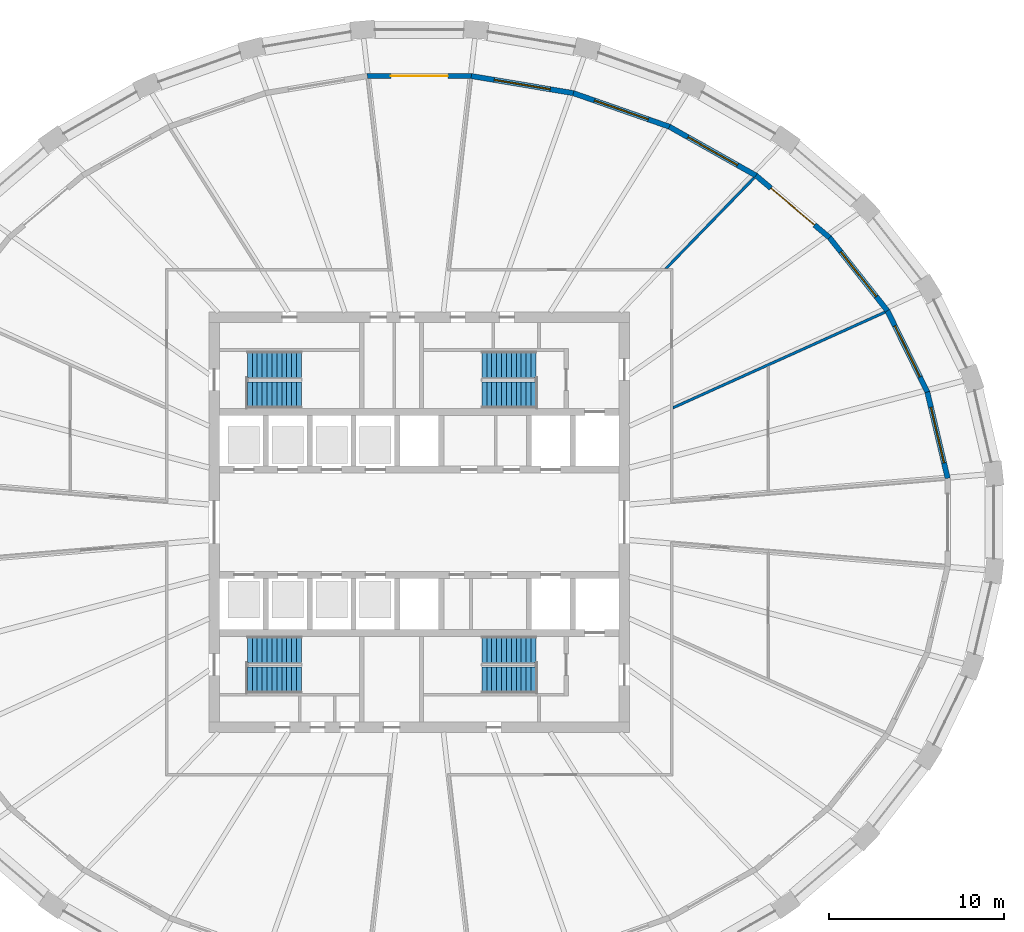
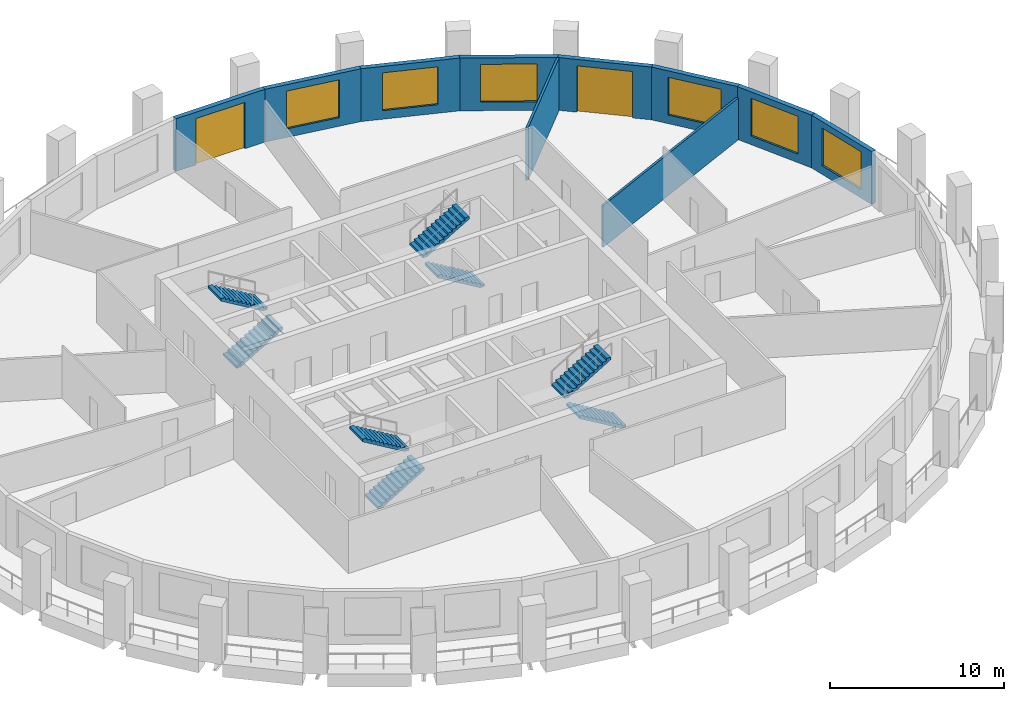
# One storey, part 7 of 10: 10 walls, 8 stair flights, 6 windows, 2 doors, 8 openings, 4 elements without a shape of their own.
"""IFC4 building model written with IfcOpenShell, lengths in metres."""

from ifc_helpers import new_model, si_unit, direction, frame, frame_2d, origin, place, context, subcontext, project, spatial, polyline, rectangle, outline, extrude, material, layer, layer_set, type_object, element, fill, aggregate, save


model = new_model("IFC4")

# Units and contexts
model_context = context("Model", 3, precision=1e-05, world=origin(), true_north=direction((0.0, 1.0)))
body_context = subcontext(model_context, "Body", "Model", "MODEL_VIEW")
ifc_project = project(units=[si_unit("LENGTHUNIT", "METRE"), si_unit("AREAUNIT", "SQUARE_METRE"), si_unit("VOLUMEUNIT", "CUBIC_METRE"), si_unit("PLANEANGLEUNIT", "RADIAN"), si_unit("MASSUNIT", "GRAM", prefix="KILO")], contexts=[model_context])

# Site, building, storey
site_placement = place(None, origin())
site = spatial("IfcSite", under=ifc_project, at=site_placement, CompositionType="ELEMENT")
building_placement = place(site_placement, origin())
building = spatial("IfcBuilding", under=site, at=building_placement, Name="Halqa Exchange Tower", CompositionType="ELEMENT")
storey_placement = place(building_placement, frame((0.0, 0.0, 178.89990234375)))
storey = spatial("IfcBuildingStorey", under=building, at=storey_placement, Name="L40", CompositionType="ELEMENT", Elevation=178.89990234375)

# Walls
ifc_material_1 = material(Name="Fire-rated gypsum board")
ifc_layer_1 = layer(ifc_material_1, 0.14990234375)
ifc_layer_set_1 = layer_set([ifc_layer_1], Name="Fire-rated gypsum board")
wall_type_1 = type_object("IfcWallType", Name="Fire partition EI 60 150", PredefinedType="PARTITIONING", material=ifc_layer_set_1)
wall_1_placement = place(storey_placement, frame((14.022216796875, 14.4228515625, 0.0), z_axis=(0.0, 0.0, 1.0), x_axis=(0.69721790069, 0.716859260216, 0.0)))
element("IfcWall", 1, at=wall_1_placement, inside=storey, type_object=wall_type_1, Name="L40-PWL-017", PredefinedType="PARTITIONING", context=body_context, shape_type="SweptSolid", body=[
    extrude(outline(polyline([(0.0, 0.074951171875), (0.0, 0.07470703125), (0.145751953125, -0.074951171875), (1.927001953125, -0.074951171875), (3.70849609375, -0.074951171875), (5.489990234375, -0.074951171875), (7.271484375, -0.074951171875), (7.271484375, 0.074951171875), (5.45361328125, 0.074951171875), (3.6357421875, 0.074951171875), (1.81787109375, 0.074951171875), (0.0, 0.074951171875)])), origin(), (0.0, 0.0, 1.0), 3.7001953125),
])
wall_2_placement = place(storey_placement, frame((14.444580078125, 6.52001953125, 0.0), z_axis=(0.0, 0.0, 1.0), x_axis=(0.911609963385, 0.411056291349, 0.0)))
element("IfcWall", 2, at=wall_2_placement, inside=storey, type_object=wall_type_1, Name="L40-PWL-024", PredefinedType="PARTITIONING", context=body_context, shape_type="SweptSolid", body=[
    extrude(outline(polyline([(0.0, -0.074951171875), (1.96533203125, -0.074951171875), (3.930419921875, -0.074951171875), (5.895751953125, -0.074951171875), (5.896728515625, -0.07275390625), (5.9013671875, -0.074951171875), (7.75, -0.074951171875), (9.5986328125, -0.074951171875), (11.447265625, -0.074951171875), (13.2958984375, -0.074951171875), (13.2958984375, -0.069091796875), (13.293701171875, -0.002685546875), (13.274169921875, 0.074951171875), (11.387451171875, 0.074951171875), (9.500732421875, 0.074951171875), (7.614013671875, 0.074951171875), (5.727294921875, 0.074951171875), (3.840576171875, 0.074951171875), (1.953857421875, 0.074951171875), (0.067138671875, 0.074951171875), (0.0, -0.073974609375), (0.0, -0.074951171875)])), origin(), (0.0, 0.0, 1.0), 2.93017578125),
])

# Wall, opening, window
ifc_material_2 = material(Name="Limestone cladding", Category="masonry")
ifc_layer_2 = layer(ifc_material_2, 0.0400390625)
ifc_material_3 = material(Name="Ventilated cavity")
ifc_layer_3 = layer(ifc_material_3, 0.030029296875, ventilated=True)
ifc_material_4 = material(Name="Mineral wool insulation")
ifc_layer_4 = layer(ifc_material_4, 0.10009765625)
ifc_material_5 = material(Name="Concrete C30/37", Category="concrete")
ifc_layer_5 = layer(ifc_material_5, 0.10009765625)
ifc_material_6 = material(Name="Internal plaster")
ifc_layer_6 = layer(ifc_material_6, 0.030029296875)
ifc_layer_set_2 = layer_set([ifc_layer_2, ifc_layer_3, ifc_layer_4, ifc_layer_5, ifc_layer_6], Name="Stone-faced insulated wall 300")
wall_type_2 = type_object("IfcWallType", Name="Stone-faced insulated wall 300", PredefinedType="STANDARD", material=ifc_layer_set_2)
wall_3_placement = place(storey_placement, frame((30.126220703125, 2.5087890625, 0.0), z_axis=(0.0, 0.0, 1.0), x_axis=(-0.229434992017, 0.973323987395, 0.0)))
wall_3 = element("IfcWall", 3, at=wall_3_placement, inside=storey, type_object=wall_type_2, Name="Glass-line wall 1", PredefinedType="STANDARD", context=body_context, shape_type="SweptSolid", body=[
    extrude(outline(polyline([(-0.017333984375, -0.14990234375), (5.072265625, -0.14990234375), (5.03857421875, 0.14990234375), (0.017333984375, 0.14990234375), (-0.017333984375, -0.14990234375)])), origin(), (0.0, 0.0, 1.0), 3.7001953125),
])
opening_1_placement = place(wall_3_placement, frame((0.902587890625, 0.0, 0.60009765625)))
opening_1 = element("IfcOpeningElement", 4, at=opening_1_placement, cuts=wall_3, Name="Opening W-F3-01", PredefinedType="OPENING", context=body_context, shape_type="SweptSolid", body=[
    extrude(rectangle(XDim=3.25, YDim=2.64990234375, at=frame_2d((1.625, 1.324951171875))), frame((0.0, 0.162109375, 0.0), z_axis=(0.0, -1.0, 0.0), x_axis=(1.0, 0.0, 0.0)), (0.0, 0.0, 1.0), 0.323974609375),
])
ifc_material_7 = material(Name="Clear low-emissivity glass in aluminium frame", Category="aluminium")
window_type = type_object("IfcWindowType", Name="Fixed clear glazed window 3250 x 2650", PartitioningType="TRIPLE_PANEL_VERTICAL", PredefinedType="WINDOW", material=ifc_material_7)
window_1_placement = place(opening_1_placement, origin())
window_1 = element("IfcWindow", 5, at=window_1_placement, inside=storey, type_object=window_type, Name="Window 3", OverallHeight=2.64990234375, OverallWidth=3.25, PartitioningType="TRIPLE_PANEL_VERTICAL", PredefinedType="WINDOW", context=body_context, shape_type="SweptSolid", body=[
    extrude(rectangle(XDim=3.25, YDim=2.64990234375, at=frame_2d((1.625, 1.324951171875))), frame((0.0, 0.030029296875, 0.0), z_axis=(0.0, -1.0, 0.0), x_axis=(1.0, 0.0, 0.0)), (0.0, 0.0, 1.0), 0.06005859375),
])
fill(opening_1, window_1)

wall_4_placement = place(storey_placement, frame((28.96630859375, 7.429443359375, 0.0), z_axis=(0.0, 0.0, 1.0), x_axis=(-0.440673883676, 0.897667270343, 0.0)))
wall_4 = element("IfcWall", 6, at=wall_4_placement, inside=storey, type_object=wall_type_2, Name="Glass-line wall 2", PredefinedType="STANDARD", context=body_context, shape_type="SweptSolid", body=[
    extrude(outline(polyline([(-0.016845703125, -0.14990234375), (5.17724609375, -0.14990234375), (5.14501953125, 0.14990234375), (0.016845703125, 0.14990234375), (-0.016845703125, -0.14990234375)])), origin(), (0.0, 0.0, 1.0), 3.7001953125),
])
opening_2_placement = place(wall_4_placement, frame((0.95556640625, 0.0, 0.60009765625)))
opening_2 = element("IfcOpeningElement", 7, at=opening_2_placement, cuts=wall_4, Name="Opening W-F3-02", PredefinedType="OPENING", context=body_context, shape_type="SweptSolid", body=[
    extrude(rectangle(XDim=3.25, YDim=2.64990234375, at=frame_2d((1.625, 1.324951171875))), frame((0.0, 0.162109375, 0.0), z_axis=(0.0, -1.0, 0.0), x_axis=(1.0, 0.0, 0.0)), (0.0, 0.0, 1.0), 0.323974609375),
])
window_2_placement = place(opening_2_placement, origin())
window_2 = element("IfcWindow", 8, at=window_2_placement, inside=storey, type_object=window_type, Name="Window 3", OverallHeight=2.64990234375, OverallWidth=3.25, PartitioningType="TRIPLE_PANEL_VERTICAL", PredefinedType="WINDOW", context=body_context, shape_type="SweptSolid", body=[
    extrude(rectangle(XDim=3.25, YDim=2.64990234375, at=frame_2d((1.625, 1.324951171875))), frame((0.0, 0.030029296875, 0.0), z_axis=(0.0, -1.0, 0.0), x_axis=(1.0, 0.0, 0.0)), (0.0, 0.0, 1.0), 0.06005859375),
])
fill(opening_2, window_2)

wall_5_placement = place(storey_placement, frame((26.69189453125, 12.0625, 0.0), z_axis=(0.0, 0.0, 1.0), x_axis=(-0.620766467446, 0.78399553117, 0.0)))
wall_5 = element("IfcWall", 9, at=wall_5_placement, inside=storey, type_object=wall_type_2, Name="Glass-line wall 3", PredefinedType="STANDARD", context=body_context, shape_type="SweptSolid", body=[
    extrude(outline(polyline([(-0.01611328125, -0.14990234375), (5.330810546875, -0.14990234375), (5.300537109375, 0.14990234375), (0.01611328125, 0.14990234375), (-0.01611328125, -0.14990234375)])), origin(), (0.0, 0.0, 1.0), 3.7001953125),
])
opening_3_placement = place(wall_5_placement, frame((1.032958984375, 0.0, 0.60009765625)))
opening_3 = element("IfcOpeningElement", 10, at=opening_3_placement, cuts=wall_5, Name="Opening W-F3-03", PredefinedType="OPENING", context=body_context, shape_type="SweptSolid", body=[
    extrude(rectangle(XDim=3.25, YDim=2.64990234375, at=frame_2d((1.625, 1.324951171875))), frame((0.0, 0.162109375, 0.0), z_axis=(0.0, -1.0, 0.0), x_axis=(1.0, 0.0, 0.0)), (0.0, 0.0, 1.0), 0.323974609375),
])
window_3_placement = place(opening_3_placement, origin())
window_3 = element("IfcWindow", 11, at=window_3_placement, inside=storey, type_object=window_type, Name="Window 3", OverallHeight=2.64990234375, OverallWidth=3.25, PartitioningType="TRIPLE_PANEL_VERTICAL", PredefinedType="WINDOW", context=body_context, shape_type="SweptSolid", body=[
    extrude(rectangle(XDim=3.25, YDim=2.64990234375, at=frame_2d((1.625, 1.324951171875))), frame((0.0, 0.030029296875, 0.0), z_axis=(0.0, -1.0, 0.0), x_axis=(1.0, 0.0, 0.0)), (0.0, 0.0, 1.0), 0.06005859375),
])
fill(opening_3, window_3)

# Wall, opening, door
wall_6_placement = place(storey_placement, frame((23.39208984375, 16.22998046875, 0.0), z_axis=(0.0, 0.0, 1.0), x_axis=(-0.764238764041, 0.64493341636, 0.0)))
wall_6 = element("IfcWall", 12, at=wall_6_placement, inside=storey, type_object=wall_type_2, Name="Glass-line wall 4", PredefinedType="STANDARD", context=body_context, shape_type="SweptSolid", body=[
    extrude(outline(polyline([(-0.01513671875, -0.14990234375), (5.506591796875, -0.14990234375), (5.478271484375, 0.14990234375), (0.01513671875, 0.14990234375), (-0.01513671875, -0.14990234375)])), origin(), (0.0, 0.0, 1.0), 3.7001953125),
])
opening_4_placement = place(wall_6_placement, frame((1.12109375, 0.0, 0.0)))
opening_4 = element("IfcOpeningElement", 13, at=opening_4_placement, cuts=wall_6, Name="Opening LG-F3-01", PredefinedType="OPENING", context=body_context, shape_type="SweptSolid", body=[
    extrude(rectangle(XDim=3.25, YDim=3.25, at=frame_2d((1.625, 1.625))), frame((0.0, 0.162109375, 0.0), z_axis=(0.0, -1.0, 0.0), x_axis=(1.0, 0.0, 0.0)), (0.0, 0.0, 1.0), 0.323974609375),
])
door_type = type_object("IfcDoorType", Name="Glazed sliding loggia door 3250 x 3250", OperationType="DOUBLE_DOOR_SLIDING", PredefinedType="DOOR", material=ifc_material_7)
door_1_placement = place(opening_4_placement, origin())
door_1 = element("IfcDoor", 14, at=door_1_placement, inside=storey, type_object=door_type, Name="Loggia door 1", OperationType="DOUBLE_DOOR_SLIDING", OverallHeight=3.25, OverallWidth=3.25, PredefinedType="DOOR", context=body_context, shape_type="SweptSolid", body=[
    extrude(rectangle(XDim=3.25, YDim=3.25, at=frame_2d((1.625, 1.625))), frame((0.0, 0.02490234375, 0.0), z_axis=(0.0, -1.0, 0.0), x_axis=(1.0, 0.0, 0.0)), (0.0, 0.0, 1.0), 0.050048828125),
])
fill(opening_4, door_1)

# Wall, opening, window
wall_7_placement = place(storey_placement, frame((19.194580078125, 19.772216796875, 0.0), z_axis=(0.0, 0.0, 1.0), x_axis=(-0.871077775545, 0.491145099691, 0.0)))
wall_7 = element("IfcWall", 15, at=wall_7_placement, inside=storey, type_object=wall_type_2, Name="Glass-line wall 5", PredefinedType="STANDARD", context=body_context, shape_type="SweptSolid", body=[
    extrude(outline(polyline([(-0.01416015625, -0.14990234375), (5.67724609375, -0.14990234375), (5.650390625, 0.14990234375), (0.01416015625, 0.14990234375), (-0.01416015625, -0.14990234375)])), origin(), (0.0, 0.0, 1.0), 3.7001953125),
])
opening_5_placement = place(wall_7_placement, frame((1.206787109375, 0.0, 0.60009765625)))
opening_5 = element("IfcOpeningElement", 16, at=opening_5_placement, cuts=wall_7, Name="Opening W-F3-05", PredefinedType="OPENING", context=body_context, shape_type="SweptSolid", body=[
    extrude(rectangle(XDim=3.25, YDim=2.64990234375, at=frame_2d((1.625, 1.324951171875))), frame((0.0, 0.162109375, 0.0), z_axis=(0.0, -1.0, 0.0), x_axis=(1.0, 0.0, 0.0)), (0.0, 0.0, 1.0), 0.323974609375),
])
window_4_placement = place(opening_5_placement, origin())
window_4 = element("IfcWindow", 17, at=window_4_placement, inside=storey, type_object=window_type, Name="Window 3", OverallHeight=2.64990234375, OverallWidth=3.25, PartitioningType="TRIPLE_PANEL_VERTICAL", PredefinedType="WINDOW", context=body_context, shape_type="SweptSolid", body=[
    extrude(rectangle(XDim=3.25, YDim=2.64990234375, at=frame_2d((1.625, 1.324951171875))), frame((0.0, 0.030029296875, 0.0), z_axis=(0.0, -1.0, 0.0), x_axis=(1.0, 0.0, 0.0)), (0.0, 0.0, 1.0), 0.06005859375),
])
fill(opening_5, window_4)

wall_8_placement = place(storey_placement, frame((14.260986328125, 22.553955078125, 0.0), z_axis=(0.0, 0.0, 1.0), x_axis=(-0.943990724372, 0.329971987144, 0.0)))
wall_8 = element("IfcWall", 18, at=wall_8_placement, inside=storey, type_object=wall_type_2, Name="Glass-line wall 6", PredefinedType="STANDARD", context=body_context, shape_type="SweptSolid", body=[
    extrude(outline(polyline([(-0.013427734375, -0.14990234375), (5.81787109375, -0.14990234375), (5.79248046875, 0.14990234375), (0.013427734375, 0.14990234375), (-0.013427734375, -0.14990234375)])), origin(), (0.0, 0.0, 1.0), 3.7001953125),
])
opening_6_placement = place(wall_8_placement, frame((1.277587890625, 0.0, 0.60009765625)))
opening_6 = element("IfcOpeningElement", 19, at=opening_6_placement, cuts=wall_8, Name="Opening W-F3-06", PredefinedType="OPENING", context=body_context, shape_type="SweptSolid", body=[
    extrude(rectangle(XDim=3.25, YDim=2.64990234375, at=frame_2d((1.625, 1.324951171875))), frame((0.0, 0.162109375, 0.0), z_axis=(0.0, -1.0, 0.0), x_axis=(1.0, 0.0, 0.0)), (0.0, 0.0, 1.0), 0.323974609375),
])
window_5_placement = place(opening_6_placement, origin())
window_5 = element("IfcWindow", 20, at=window_5_placement, inside=storey, type_object=window_type, Name="Window 3", OverallHeight=2.64990234375, OverallWidth=3.25, PartitioningType="TRIPLE_PANEL_VERTICAL", PredefinedType="WINDOW", context=body_context, shape_type="SweptSolid", body=[
    extrude(rectangle(XDim=3.25, YDim=2.64990234375, at=frame_2d((1.625, 1.324951171875))), frame((0.0, 0.030029296875, 0.0), z_axis=(0.0, -1.0, 0.0), x_axis=(1.0, 0.0, 0.0)), (0.0, 0.0, 1.0), 0.06005859375),
])
fill(opening_6, window_5)

wall_9_placement = place(storey_placement, frame((8.781005859375, 24.469482421875, 0.0), z_axis=(0.0, 0.0, 1.0), x_axis=(-0.986201934369, 0.165546805001, 0.0)))
wall_9 = element("IfcWall", 21, at=wall_9_placement, inside=storey, type_object=wall_type_2, Name="Glass-line wall 7", PredefinedType="STANDARD", context=body_context, shape_type="SweptSolid", body=[
    extrude(outline(polyline([(-0.0126953125, -0.14990234375), (5.909912109375, -0.14990234375), (5.885009765625, 0.14990234375), (0.0126953125, 0.14990234375), (-0.0126953125, -0.14990234375)])), origin(), (0.0, 0.0, 1.0), 3.7001953125),
])
opening_7_placement = place(wall_9_placement, frame((1.32373046875, 0.0, 0.60009765625)))
opening_7 = element("IfcOpeningElement", 22, at=opening_7_placement, cuts=wall_9, Name="Opening W-F3-07", PredefinedType="OPENING", context=body_context, shape_type="SweptSolid", body=[
    extrude(rectangle(XDim=3.25, YDim=2.64990234375, at=frame_2d((1.625, 1.324951171875))), frame((0.0, 0.162109375, 0.0), z_axis=(0.0, -1.0, 0.0), x_axis=(1.0, 0.0, 0.0)), (0.0, 0.0, 1.0), 0.323974609375),
])
window_6_placement = place(opening_7_placement, origin())
window_6 = element("IfcWindow", 23, at=window_6_placement, inside=storey, type_object=window_type, Name="Window 3", OverallHeight=2.64990234375, OverallWidth=3.25, PartitioningType="TRIPLE_PANEL_VERTICAL", PredefinedType="WINDOW", context=body_context, shape_type="SweptSolid", body=[
    extrude(rectangle(XDim=3.25, YDim=2.64990234375, at=frame_2d((1.625, 1.324951171875))), frame((0.0, 0.030029296875, 0.0), z_axis=(0.0, -1.0, 0.0), x_axis=(1.0, 0.0, 0.0)), (0.0, 0.0, 1.0), 0.06005859375),
])
fill(opening_7, window_6)

# Wall, opening, door
wall_10_placement = place(storey_placement, frame((2.96484375, 25.44580078125, 0.0), z_axis=(0.0, 0.0, 1.0), x_axis=(-1.0, 0.0, 0.0)))
wall_10 = element("IfcWall", 24, at=wall_10_placement, inside=storey, type_object=wall_type_2, Name="Glass-line wall 8", PredefinedType="STANDARD", context=body_context, shape_type="SweptSolid", body=[
    extrude(outline(polyline([(-0.012451171875, -0.14990234375), (5.942138671875, -0.14990234375), (5.917236328125, 0.14990234375), (0.012451171875, 0.14990234375), (-0.012451171875, -0.14990234375)])), origin(), (0.0, 0.0, 1.0), 3.7001953125),
])
opening_8_placement = place(wall_10_placement, frame((1.33984375, 0.0, 0.0)))
opening_8 = element("IfcOpeningElement", 25, at=opening_8_placement, cuts=wall_10, Name="Opening LG-F3-02", PredefinedType="OPENING", context=body_context, shape_type="SweptSolid", body=[
    extrude(rectangle(XDim=3.25, YDim=3.25, at=frame_2d((1.625, 1.625))), frame((0.0, 0.162109375, 0.0), z_axis=(0.0, -1.0, 0.0), x_axis=(1.0, 0.0, 0.0)), (0.0, 0.0, 1.0), 0.323974609375),
])
door_2_placement = place(opening_8_placement, origin())
door_2 = element("IfcDoor", 26, at=door_2_placement, inside=storey, type_object=door_type, Name="Loggia door 2", OperationType="DOUBLE_DOOR_SLIDING", OverallHeight=3.25, OverallWidth=3.25, PredefinedType="DOOR", context=body_context, shape_type="SweptSolid", body=[
    extrude(rectangle(XDim=3.25, YDim=3.25, at=frame_2d((1.625, 1.625))), frame((0.0, 0.02490234375, 0.0), z_axis=(0.0, -1.0, 0.0), x_axis=(1.0, 0.0, 0.0)), (0.0, 0.0, 1.0), 0.050048828125),
])
fill(opening_8, door_2)

# Stair, stair flights
stair_type = type_object("IfcStairType", Name="Exit stair 1500 wide", PredefinedType="HALF_TURN_STAIR", material=ifc_material_5)
stair_1_placement = place(storey_placement, origin())
stair_1 = element("IfcStair", 27, at=stair_1_placement, inside=storey, type_object=stair_type, Name="Exit stair ST1", PredefinedType="HALF_TURN_STAIR")
stair_flight_type = type_object("IfcStairFlightType", Name="Stair flight 1500 wide", PredefinedType="STRAIGHT", material=ifc_material_5)
stair_flight_1_placement = place(storey_placement, frame((-9.800048828125, 7.25, 0.0), z_axis=(0.0, 0.0, 1.0), x_axis=(1.0, 0.0, 0.0)))
stair_flight_1 = element("IfcStairFlight", 28, at=stair_flight_1_placement, type_object=stair_flight_type, Name="ST1 flight 1", NumberOfRisers=12, NumberOfTreads=11, PredefinedType="STRAIGHT", RiserHeight=0.166666667, TreadLength=0.28, context=body_context, shape_type="SweptSolid", body=[
    extrude(outline(polyline([(0.0, 0.0), (0.0, 0.166748046875), (0.280029296875, 0.166748046875), (0.280029296875, 0.333251953125), (0.56005859375, 0.333251953125), (0.56005859375, 0.5), (0.840087890625, 0.5), (0.840087890625, 0.666748046875), (1.1201171875, 0.666748046875), (1.1201171875, 0.833251953125), (1.39990234375, 0.833251953125), (1.39990234375, 1.0), (1.679931640625, 1.0), (1.679931640625, 1.166748046875), (1.9599609375, 1.166748046875), (1.9599609375, 1.333251953125), (2.239990234375, 1.333251953125), (2.239990234375, 1.5), (2.52001953125, 1.5), (2.52001953125, 1.666748046875), (2.800048828125, 1.666748046875), (2.800048828125, 1.833251953125), (3.080078125, 1.833251953125), (3.080078125, 2.0), (3.080078125, 1.658935546875), (0.29296875, 0.0), (0.0, 0.0)])), frame((0.0, 0.75, 0.0), z_axis=(0.0, -1.0, 0.0), x_axis=(1.0, 0.0, 0.0)), (0.0, 0.0, 1.0), 1.5),
])
stair_flight_2_placement = place(storey_placement, frame((-6.719970703125, 9.0, 2.0), z_axis=(0.0, 0.0, 1.0), x_axis=(-1.0, 0.0, 0.0)))
stair_flight_2 = element("IfcStairFlight", 29, at=stair_flight_2_placement, type_object=stair_flight_type, Name="ST1 flight 2", NumberOfRisers=12, NumberOfTreads=11, PredefinedType="STRAIGHT", RiserHeight=0.166666667, TreadLength=0.28, context=body_context, shape_type="SweptSolid", body=[
    extrude(outline(polyline([(0.0, 0.0), (0.0, 0.166748046875), (0.280029296875, 0.166748046875), (0.280029296875, 0.333251953125), (0.56005859375, 0.333251953125), (0.56005859375, 0.5), (0.840087890625, 0.5), (0.840087890625, 0.666748046875), (1.1201171875, 0.666748046875), (1.1201171875, 0.833251953125), (1.39990234375, 0.833251953125), (1.39990234375, 1.0), (1.679931640625, 1.0), (1.679931640625, 1.166748046875), (1.9599609375, 1.166748046875), (1.9599609375, 1.333251953125), (2.239990234375, 1.333251953125), (2.239990234375, 1.5), (2.52001953125, 1.5), (2.52001953125, 1.666748046875), (2.800048828125, 1.666748046875), (2.800048828125, 1.833251953125), (3.080078125, 1.833251953125), (3.080078125, 2.0), (3.080078125, 1.658935546875), (0.29296875, 0.0), (0.0, 0.0)])), frame((0.0, 0.75, 0.0), z_axis=(0.0, -1.0, 0.0), x_axis=(1.0, 0.0, 0.0)), (0.0, 0.0, 1.0), 1.5),
])
aggregate(stair_1, [stair_flight_1, stair_flight_2])

stair_2_placement = place(storey_placement, origin())
stair_2 = element("IfcStair", 30, at=stair_2_placement, inside=storey, type_object=stair_type, Name="Exit stair ST2", PredefinedType="HALF_TURN_STAIR")
stair_flight_3_placement = place(storey_placement, frame((6.64990234375, 7.25, 0.0), z_axis=(0.0, 0.0, 1.0), x_axis=(-1.0, 0.0, 0.0)))
stair_flight_3 = element("IfcStairFlight", 31, at=stair_flight_3_placement, type_object=stair_flight_type, Name="ST2 flight 1", NumberOfRisers=12, NumberOfTreads=11, PredefinedType="STRAIGHT", RiserHeight=0.166666667, TreadLength=0.28, context=body_context, shape_type="SweptSolid", body=[
    extrude(outline(polyline([(0.0, 0.0), (0.0, 0.166748046875), (0.280029296875, 0.166748046875), (0.280029296875, 0.333251953125), (0.56005859375, 0.333251953125), (0.56005859375, 0.5), (0.840087890625, 0.5), (0.840087890625, 0.666748046875), (1.1201171875, 0.666748046875), (1.1201171875, 0.833251953125), (1.39990234375, 0.833251953125), (1.39990234375, 1.0), (1.679931640625, 1.0), (1.679931640625, 1.166748046875), (1.9599609375, 1.166748046875), (1.9599609375, 1.333251953125), (2.239990234375, 1.333251953125), (2.239990234375, 1.5), (2.52001953125, 1.5), (2.52001953125, 1.666748046875), (2.800048828125, 1.666748046875), (2.800048828125, 1.833251953125), (3.080078125, 1.833251953125), (3.080078125, 2.0), (3.080078125, 1.658935546875), (0.29296875, 0.0), (0.0, 0.0)])), frame((0.0, 0.75, 0.0), z_axis=(0.0, -1.0, 0.0), x_axis=(1.0, 0.0, 0.0)), (0.0, 0.0, 1.0), 1.5),
])
stair_flight_4_placement = place(storey_placement, frame((3.570068359375, 9.0, 2.0), z_axis=(0.0, 0.0, 1.0), x_axis=(1.0, 0.0, 0.0)))
stair_flight_4 = element("IfcStairFlight", 32, at=stair_flight_4_placement, type_object=stair_flight_type, Name="ST2 flight 2", NumberOfRisers=12, NumberOfTreads=11, PredefinedType="STRAIGHT", RiserHeight=0.166666667, TreadLength=0.28, context=body_context, shape_type="SweptSolid", body=[
    extrude(outline(polyline([(0.0, 0.0), (0.0, 0.166748046875), (0.280029296875, 0.166748046875), (0.280029296875, 0.333251953125), (0.56005859375, 0.333251953125), (0.56005859375, 0.5), (0.840087890625, 0.5), (0.840087890625, 0.666748046875), (1.1201171875, 0.666748046875), (1.1201171875, 0.833251953125), (1.39990234375, 0.833251953125), (1.39990234375, 1.0), (1.679931640625, 1.0), (1.679931640625, 1.166748046875), (1.9599609375, 1.166748046875), (1.9599609375, 1.333251953125), (2.239990234375, 1.333251953125), (2.239990234375, 1.5), (2.52001953125, 1.5), (2.52001953125, 1.666748046875), (2.800048828125, 1.666748046875), (2.800048828125, 1.833251953125), (3.080078125, 1.833251953125), (3.080078125, 2.0), (3.080078125, 1.658935546875), (0.29296875, 0.0), (0.0, 0.0)])), frame((0.0, 0.75, 0.0), z_axis=(0.0, -1.0, 0.0), x_axis=(1.0, 0.0, 0.0)), (0.0, 0.0, 1.0), 1.5),
])
aggregate(stair_2, [stair_flight_3, stair_flight_4])

stair_3_placement = place(storey_placement, origin())
stair_3 = element("IfcStair", 33, at=stair_3_placement, inside=storey, type_object=stair_type, Name="Exit stair ST3", PredefinedType="HALF_TURN_STAIR")
stair_flight_5_placement = place(storey_placement, frame((-9.800048828125, -9.0, 0.0), z_axis=(0.0, 0.0, 1.0), x_axis=(1.0, 0.0, 0.0)))
stair_flight_5 = element("IfcStairFlight", 34, at=stair_flight_5_placement, type_object=stair_flight_type, Name="ST3 flight 1", NumberOfRisers=12, NumberOfTreads=11, PredefinedType="STRAIGHT", RiserHeight=0.166666667, TreadLength=0.28, context=body_context, shape_type="SweptSolid", body=[
    extrude(outline(polyline([(0.0, 0.0), (0.0, 0.166748046875), (0.280029296875, 0.166748046875), (0.280029296875, 0.333251953125), (0.56005859375, 0.333251953125), (0.56005859375, 0.5), (0.840087890625, 0.5), (0.840087890625, 0.666748046875), (1.1201171875, 0.666748046875), (1.1201171875, 0.833251953125), (1.39990234375, 0.833251953125), (1.39990234375, 1.0), (1.679931640625, 1.0), (1.679931640625, 1.166748046875), (1.9599609375, 1.166748046875), (1.9599609375, 1.333251953125), (2.239990234375, 1.333251953125), (2.239990234375, 1.5), (2.52001953125, 1.5), (2.52001953125, 1.666748046875), (2.800048828125, 1.666748046875), (2.800048828125, 1.833251953125), (3.080078125, 1.833251953125), (3.080078125, 2.0), (3.080078125, 1.658935546875), (0.29296875, 0.0), (0.0, 0.0)])), frame((0.0, 0.75, 0.0), z_axis=(0.0, -1.0, 0.0), x_axis=(1.0, 0.0, 0.0)), (0.0, 0.0, 1.0), 1.5),
])
stair_flight_6_placement = place(storey_placement, frame((-6.719970703125, -7.25, 2.0), z_axis=(0.0, 0.0, 1.0), x_axis=(-1.0, 0.0, 0.0)))
stair_flight_6 = element("IfcStairFlight", 35, at=stair_flight_6_placement, type_object=stair_flight_type, Name="ST3 flight 2", NumberOfRisers=12, NumberOfTreads=11, PredefinedType="STRAIGHT", RiserHeight=0.166666667, TreadLength=0.28, context=body_context, shape_type="SweptSolid", body=[
    extrude(outline(polyline([(0.0, 0.0), (0.0, 0.166748046875), (0.280029296875, 0.166748046875), (0.280029296875, 0.333251953125), (0.56005859375, 0.333251953125), (0.56005859375, 0.5), (0.840087890625, 0.5), (0.840087890625, 0.666748046875), (1.1201171875, 0.666748046875), (1.1201171875, 0.833251953125), (1.39990234375, 0.833251953125), (1.39990234375, 1.0), (1.679931640625, 1.0), (1.679931640625, 1.166748046875), (1.9599609375, 1.166748046875), (1.9599609375, 1.333251953125), (2.239990234375, 1.333251953125), (2.239990234375, 1.5), (2.52001953125, 1.5), (2.52001953125, 1.666748046875), (2.800048828125, 1.666748046875), (2.800048828125, 1.833251953125), (3.080078125, 1.833251953125), (3.080078125, 2.0), (3.080078125, 1.658935546875), (0.29296875, 0.0), (0.0, 0.0)])), frame((0.0, 0.75, 0.0), z_axis=(0.0, -1.0, 0.0), x_axis=(1.0, 0.0, 0.0)), (0.0, 0.0, 1.0), 1.5),
])
aggregate(stair_3, [stair_flight_5, stair_flight_6])

stair_4_placement = place(storey_placement, origin())
stair_4 = element("IfcStair", 36, at=stair_4_placement, inside=storey, type_object=stair_type, Name="Exit stair ST4", PredefinedType="HALF_TURN_STAIR")
stair_flight_7_placement = place(storey_placement, frame((6.64990234375, -9.0, 0.0), z_axis=(0.0, 0.0, 1.0), x_axis=(-1.0, 0.0, 0.0)))
stair_flight_7 = element("IfcStairFlight", 37, at=stair_flight_7_placement, type_object=stair_flight_type, Name="ST4 flight 1", NumberOfRisers=12, NumberOfTreads=11, PredefinedType="STRAIGHT", RiserHeight=0.166666667, TreadLength=0.28, context=body_context, shape_type="SweptSolid", body=[
    extrude(outline(polyline([(0.0, 0.0), (0.0, 0.166748046875), (0.280029296875, 0.166748046875), (0.280029296875, 0.333251953125), (0.56005859375, 0.333251953125), (0.56005859375, 0.5), (0.840087890625, 0.5), (0.840087890625, 0.666748046875), (1.1201171875, 0.666748046875), (1.1201171875, 0.833251953125), (1.39990234375, 0.833251953125), (1.39990234375, 1.0), (1.679931640625, 1.0), (1.679931640625, 1.166748046875), (1.9599609375, 1.166748046875), (1.9599609375, 1.333251953125), (2.239990234375, 1.333251953125), (2.239990234375, 1.5), (2.52001953125, 1.5), (2.52001953125, 1.666748046875), (2.800048828125, 1.666748046875), (2.800048828125, 1.833251953125), (3.080078125, 1.833251953125), (3.080078125, 2.0), (3.080078125, 1.658935546875), (0.29296875, 0.0), (0.0, 0.0)])), frame((0.0, 0.75, 0.0), z_axis=(0.0, -1.0, 0.0), x_axis=(1.0, 0.0, 0.0)), (0.0, 0.0, 1.0), 1.5),
])
stair_flight_8_placement = place(storey_placement, frame((3.570068359375, -7.25, 2.0), z_axis=(0.0, 0.0, 1.0), x_axis=(1.0, 0.0, 0.0)))
stair_flight_8 = element("IfcStairFlight", 38, at=stair_flight_8_placement, type_object=stair_flight_type, Name="ST4 flight 2", NumberOfRisers=12, NumberOfTreads=11, PredefinedType="STRAIGHT", RiserHeight=0.166666667, TreadLength=0.28, context=body_context, shape_type="SweptSolid", body=[
    extrude(outline(polyline([(0.0, 0.0), (0.0, 0.166748046875), (0.280029296875, 0.166748046875), (0.280029296875, 0.333251953125), (0.56005859375, 0.333251953125), (0.56005859375, 0.5), (0.840087890625, 0.5), (0.840087890625, 0.666748046875), (1.1201171875, 0.666748046875), (1.1201171875, 0.833251953125), (1.39990234375, 0.833251953125), (1.39990234375, 1.0), (1.679931640625, 1.0), (1.679931640625, 1.166748046875), (1.9599609375, 1.166748046875), (1.9599609375, 1.333251953125), (2.239990234375, 1.333251953125), (2.239990234375, 1.5), (2.52001953125, 1.5), (2.52001953125, 1.666748046875), (2.800048828125, 1.666748046875), (2.800048828125, 1.833251953125), (3.080078125, 1.833251953125), (3.080078125, 2.0), (3.080078125, 1.658935546875), (0.29296875, 0.0), (0.0, 0.0)])), frame((0.0, 0.75, 0.0), z_axis=(0.0, -1.0, 0.0), x_axis=(1.0, 0.0, 0.0)), (0.0, 0.0, 1.0), 1.5),
])
aggregate(stair_4, [stair_flight_7, stair_flight_8])

save(model, "model.ifc")
